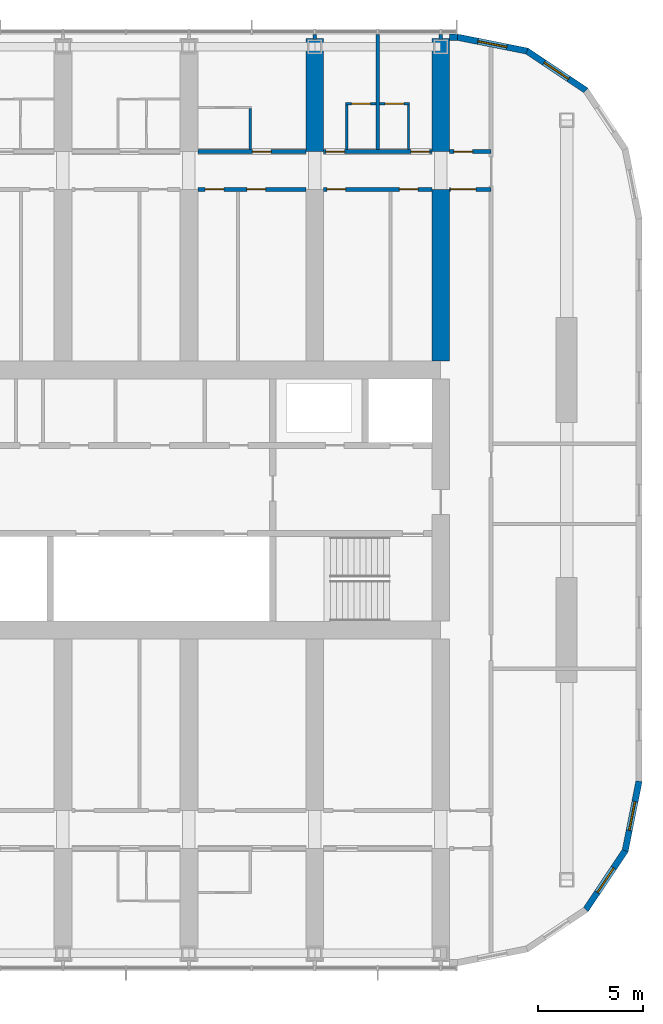
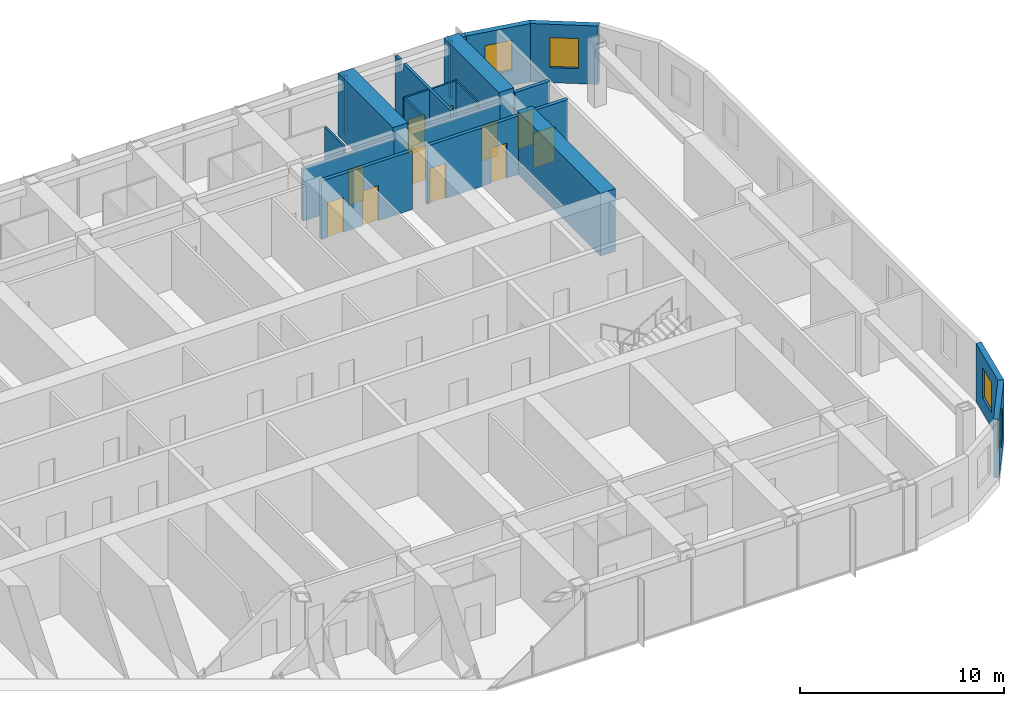
# One storey, part 21 of 29: 22 walls, 11 doors, 4 windows, 15 openings.
"""IFC4 building model written with IfcOpenShell, lengths in metres."""

from ifc_helpers import new_model, si_unit, direction, frame, frame_2d, origin, place, context, subcontext, project, spatial, polyline, rectangle, outline, extrude, material, layer, layer_set, type_object, element, fill, save


model = new_model("IFC4")

# Units and contexts
model_context = context("Model", 3, precision=1e-05, world=origin(), true_north=direction((0.0, 1.0)))
body_context = subcontext(model_context, "Body", "Model", "MODEL_VIEW")
ifc_project = project(units=[si_unit("LENGTHUNIT", "METRE"), si_unit("AREAUNIT", "SQUARE_METRE"), si_unit("VOLUMEUNIT", "CUBIC_METRE"), si_unit("PLANEANGLEUNIT", "RADIAN"), si_unit("MASSUNIT", "GRAM", prefix="KILO")], contexts=[model_context])

# Site, building, storey
site_placement = place(None, origin())
site = spatial("IfcSite", under=ifc_project, at=site_placement, CompositionType="ELEMENT")
building_placement = place(site_placement, origin())
building = spatial("IfcBuilding", under=site, at=building_placement, Name="Orbita Commons", CompositionType="ELEMENT")
storey_placement = place(building_placement, frame((0.0, 0.0, 163.60009765625)))
storey = spatial("IfcBuildingStorey", under=building, at=storey_placement, Name="L40", CompositionType="ELEMENT", Elevation=163.60009765625)

# Wall, opening, door
ifc_material_1 = material(Name="Concrete blockwork", Category="masonry")
ifc_layer_1 = layer(ifc_material_1, 0.199951171875)
ifc_layer_set_1 = layer_set([ifc_layer_1], Name="Concrete blockwork")
wall_type_1 = type_object("IfcWallType", Name="Corridor wall 200 blockwork", PredefinedType="SOLIDWALL", material=ifc_layer_set_1)
wall_1_placement = place(storey_placement, frame((54.425048828125, 48.60009765625, 0.0), z_axis=(0.0, 0.0, 1.0), x_axis=(1.0, 0.0, 0.0)))
wall_1 = element("IfcWall", 1, at=wall_1_placement, inside=storey, type_object=wall_type_1, Name="Corridor wall 200 blockwork L40", PredefinedType="SOLIDWALL", context=body_context, shape_type="SweptSolid", body=[
    extrude(outline(polyline([(0.0, 0.0), (5.14990234375, 0.0), (5.14990234375, 3.099853515625), (0.0, 3.099853515625), (0.0, 0.0)])), frame((0.0, 0.10009765625, 0.0), z_axis=(0.0, -1.0, 0.0), x_axis=(1.0, 0.0, 0.0)), (0.0, 0.0, 1.0), 0.199951171875),
])
opening_1_placement = place(wall_1_placement, frame((2.60009765625, 0.0, 0.0)))
opening_1 = element("IfcOpeningElement", 2, at=opening_1_placement, cuts=wall_1, Name="Opening D11", PredefinedType="OPENING", context=body_context, shape_type="SweptSolid", body=[
    extrude(rectangle(XDim=0.89990234375, YDim=2.10009765625, at=frame_2d((0.449951171875, 1.050048828125))), frame((0.0, 0.10986328125, 0.0), z_axis=(0.0, -1.0, 0.0), x_axis=(1.0, 0.0, 0.0)), (0.0, 0.0, 1.0), 0.219970703125),
])
ifc_material_2 = material(Name="Steel-faced fire door leaf", Category="steel")
door_type_1 = type_object("IfcDoorType", Name="Corridor door 20 min 900x2100", OperationType="SINGLE_SWING_LEFT", PredefinedType="DOOR", material=ifc_material_2)
door_1_placement = place(opening_1_placement, origin())
door_1 = element("IfcDoor", 3, at=door_1_placement, inside=storey, type_object=door_type_1, Name="Twin room L40-N12 door", OperationType="SINGLE_SWING_LEFT", OverallHeight=2.10009765625, OverallWidth=0.89990234375, PredefinedType="DOOR", context=body_context, shape_type="SweptSolid", body=[
    extrude(rectangle(XDim=0.89990234375, YDim=2.10009765625, at=frame_2d((0.449951171875, 1.050048828125))), frame((0.0, 0.02490234375, 0.0), z_axis=(0.0, -1.0, 0.0), x_axis=(1.0, 0.0, 0.0)), (0.0, 0.0, 1.0), 0.050048828125),
])
fill(opening_1, door_1)

# Wall, openings, doors
wall_2_placement = place(storey_placement, frame((60.425048828125, 48.60009765625, 0.0), z_axis=(0.0, 0.0, 1.0), x_axis=(1.0, 0.0, 0.0)))
wall_2 = element("IfcWall", 4, at=wall_2_placement, inside=storey, type_object=wall_type_1, Name="Corridor wall 200 blockwork L40", PredefinedType="SOLIDWALL", context=body_context, shape_type="SweptSolid", body=[
    extrude(outline(polyline([(0.0, 0.0), (5.14990234375, 0.0), (5.14990234375, 3.099853515625), (0.0, 3.099853515625), (0.0, 0.0)])), frame((0.0, 0.10009765625, 0.0), z_axis=(0.0, -1.0, 0.0), x_axis=(1.0, 0.0, 0.0)), (0.0, 0.0, 1.0), 0.199951171875),
])
opening_2_placement = place(wall_2_placement, frame((0.10009765625, 0.0, 0.0)))
opening_2 = element("IfcOpeningElement", 5, at=opening_2_placement, cuts=wall_2, Name="Opening D11", PredefinedType="OPENING", context=body_context, shape_type="SweptSolid", body=[
    extrude(rectangle(XDim=0.89990234375, YDim=2.10009765625, at=frame_2d((0.449951171875, 1.050048828125))), frame((0.0, 0.10986328125, 0.0), z_axis=(0.0, -1.0, 0.0), x_axis=(1.0, 0.0, 0.0)), (0.0, 0.0, 1.0), 0.219970703125),
])
opening_3_placement = place(wall_2_placement, frame((4.14990234375, 0.0, 0.0)))
opening_3 = element("IfcOpeningElement", 6, at=opening_3_placement, cuts=wall_2, Name="Opening D11", PredefinedType="OPENING", context=body_context, shape_type="SweptSolid", body=[
    extrude(rectangle(XDim=0.89990234375, YDim=2.10009765625, at=frame_2d((0.449951171875, 1.050048828125))), frame((0.0, 0.10986328125, 0.0), z_axis=(0.0, -1.0, 0.0), x_axis=(1.0, 0.0, 0.0)), (0.0, 0.0, 1.0), 0.219970703125),
])
door_2_placement = place(opening_2_placement, origin())
door_2 = element("IfcDoor", 7, at=door_2_placement, inside=storey, type_object=door_type_1, Name="Cluster bedroom L40-N14 door", OperationType="SINGLE_SWING_LEFT", OverallHeight=2.10009765625, OverallWidth=0.89990234375, PredefinedType="DOOR", context=body_context, shape_type="SweptSolid", body=[
    extrude(rectangle(XDim=0.89990234375, YDim=2.10009765625, at=frame_2d((0.449951171875, 1.050048828125))), frame((0.0, 0.02490234375, 0.0), z_axis=(0.0, -1.0, 0.0), x_axis=(1.0, 0.0, 0.0)), (0.0, 0.0, 1.0), 0.050048828125),
])
fill(opening_2, door_2)
door_3_placement = place(opening_3_placement, origin())
door_3 = element("IfcDoor", 8, at=door_3_placement, inside=storey, type_object=door_type_1, Name="Cluster bedroom L40-N15 door", OperationType="SINGLE_SWING_LEFT", OverallHeight=2.10009765625, OverallWidth=0.89990234375, PredefinedType="DOOR", context=body_context, shape_type="SweptSolid", body=[
    extrude(rectangle(XDim=0.89990234375, YDim=2.10009765625, at=frame_2d((0.449951171875, 1.050048828125))), frame((0.0, 0.02490234375, 0.0), z_axis=(0.0, -1.0, 0.0), x_axis=(1.0, 0.0, 0.0)), (0.0, 0.0, 1.0), 0.050048828125),
])
fill(opening_3, door_3)

# Wall, opening, door
wall_3_placement = place(storey_placement, frame((66.425048828125, 48.60009765625, 0.0), z_axis=(0.0, 0.0, 1.0), x_axis=(1.0, 0.0, 0.0)))
wall_3 = element("IfcWall", 9, at=wall_3_placement, inside=storey, type_object=wall_type_1, Name="Corridor wall 200 blockwork L40", PredefinedType="SOLIDWALL", context=body_context, shape_type="SweptSolid", body=[
    extrude(rectangle(XDim=1.974853515625, YDim=0.199951171875, at=frame_2d((0.9873046875, 0.0))), origin(), (0.0, 0.0, 1.0), 3.5),
])
opening_4_placement = place(wall_3_placement, frame((0.199951171875, 0.0, 0.0)))
opening_4 = element("IfcOpeningElement", 10, at=opening_4_placement, cuts=wall_3, Name="Opening D05", PredefinedType="OPENING", context=body_context, shape_type="SweptSolid", body=[
    extrude(rectangle(XDim=0.89990234375, YDim=2.10009765625, at=frame_2d((0.449951171875, 1.050048828125))), frame((0.0, 0.10986328125, 0.0), z_axis=(0.0, -1.0, 0.0), x_axis=(1.0, 0.0, 0.0)), (0.0, 0.0, 1.0), 0.219970703125),
])
ifc_material_3 = material(Name="Steel-faced fire door leaf", Category="steel")
door_type_2 = type_object("IfcDoorType", Name="Service door 20 min 900x2100", OperationType="SINGLE_SWING_LEFT", PredefinedType="DOOR", material=ifc_material_3)
door_4_placement = place(opening_4_placement, origin())
door_4 = element("IfcDoor", 11, at=door_4_placement, inside=storey, type_object=door_type_2, Name="Linen store L40-KEN door", OperationType="SINGLE_SWING_LEFT", OverallHeight=2.10009765625, OverallWidth=0.89990234375, PredefinedType="DOOR", context=body_context, shape_type="SweptSolid", body=[
    extrude(rectangle(XDim=0.89990234375, YDim=2.10009765625, at=frame_2d((0.449951171875, 1.050048828125))), frame((0.0, 0.02490234375, 0.0), z_axis=(0.0, -1.0, 0.0), x_axis=(1.0, 0.0, 0.0)), (0.0, 0.0, 1.0), 0.050048828125),
])
fill(opening_4, door_4)

# Wall, openings, doors
ifc_material_4 = material(Name="Hollow concrete block 200", Category="concrete")
ifc_layer_2 = layer(ifc_material_4, 0.199951171875)
ifc_layer_set_2 = layer_set([ifc_layer_2], Name="Hollow concrete block 200")
wall_type_2 = type_object("IfcWallType", Name="Corridor wall 200 hollow concrete block", PredefinedType="SOLIDWALL", material=ifc_layer_set_2)
wall_4_placement = place(storey_placement, frame((54.425048828125, 46.800048828125, 0.0), z_axis=(0.0, 0.0, 1.0), x_axis=(1.0, 0.0, 0.0)))
wall_4 = element("IfcWall", 12, at=wall_4_placement, inside=storey, type_object=wall_type_2, Name="Corridor wall 200 hollow concrete block L40", PredefinedType="SOLIDWALL", context=body_context, shape_type="SweptSolid", body=[
    extrude(rectangle(XDim=5.14990234375, YDim=0.199951171875, at=frame_2d((2.574951171875, 0.0))), origin(), (0.0, 0.0, 1.0), 3.5),
])
opening_5_placement = place(wall_4_placement, frame((0.35009765625, 0.0, 0.0)))
opening_5 = element("IfcOpeningElement", 13, at=opening_5_placement, cuts=wall_4, Name="Opening D11", PredefinedType="OPENING", context=body_context, shape_type="SweptSolid", body=[
    extrude(rectangle(XDim=0.89990234375, YDim=2.10009765625, at=frame_2d((0.449951171875, 1.050048828125))), frame((0.0, 0.10986328125, 0.0), z_axis=(0.0, -1.0, 0.0), x_axis=(1.0, 0.0, 0.0)), (0.0, 0.0, 1.0), 0.219970703125),
])
opening_6_placement = place(wall_4_placement, frame((2.3349609375, 0.0, 0.0)))
opening_6 = element("IfcOpeningElement", 14, at=opening_6_placement, cuts=wall_4, Name="Opening D11", PredefinedType="OPENING", context=body_context, shape_type="SweptSolid", body=[
    extrude(rectangle(XDim=0.89990234375, YDim=2.10009765625, at=frame_2d((0.449951171875, 1.050048828125))), frame((0.0, 0.10986328125, 0.0), z_axis=(0.0, -1.0, 0.0), x_axis=(1.0, 0.0, 0.0)), (0.0, 0.0, 1.0), 0.219970703125),
])
door_5_placement = place(opening_5_placement, origin())
door_5 = element("IfcDoor", 15, at=door_5_placement, inside=storey, type_object=door_type_1, Name="Battery and UPS room L40-BDN54n door", OperationType="SINGLE_SWING_LEFT", OverallHeight=2.10009765625, OverallWidth=0.89990234375, PredefinedType="DOOR", context=body_context, shape_type="SweptSolid", body=[
    extrude(rectangle(XDim=0.89990234375, YDim=2.10009765625, at=frame_2d((0.449951171875, 1.050048828125))), frame((0.0, 0.02490234375, 0.0), z_axis=(0.0, -1.0, 0.0), x_axis=(1.0, 0.0, 0.0)), (0.0, 0.0, 1.0), 0.050048828125),
])
fill(opening_5, door_5)
door_6_placement = place(opening_6_placement, origin())
door_6 = element("IfcDoor", 16, at=door_6_placement, inside=storey, type_object=door_type_1, Name="Linen store L40-BDN54 door", OperationType="SINGLE_SWING_LEFT", OverallHeight=2.10009765625, OverallWidth=0.89990234375, PredefinedType="DOOR", context=body_context, shape_type="SweptSolid", body=[
    extrude(rectangle(XDim=0.89990234375, YDim=2.10009765625, at=frame_2d((0.449951171875, 1.050048828125))), frame((0.0, 0.02490234375, 0.0), z_axis=(0.0, -1.0, 0.0), x_axis=(1.0, 0.0, 0.0)), (0.0, 0.0, 1.0), 0.050048828125),
])
fill(opening_6, door_6)

wall_5_placement = place(storey_placement, frame((60.425048828125, 46.800048828125, 0.0), z_axis=(0.0, 0.0, 1.0), x_axis=(1.0, 0.0, 0.0)))
wall_5 = element("IfcWall", 17, at=wall_5_placement, inside=storey, type_object=wall_type_2, Name="Corridor wall 200 hollow concrete block L40", PredefinedType="SOLIDWALL", context=body_context, shape_type="SweptSolid", body=[
    extrude(rectangle(XDim=5.14990234375, YDim=0.199951171875, at=frame_2d((2.574951171875, 0.0))), origin(), (0.0, 0.0, 1.0), 3.5),
])
opening_7_placement = place(wall_5_placement, frame((0.14990234375, 0.0, 0.0)))
opening_7 = element("IfcOpeningElement", 18, at=opening_7_placement, cuts=wall_5, Name="Opening D11", PredefinedType="OPENING", context=body_context, shape_type="SweptSolid", body=[
    extrude(rectangle(XDim=0.89990234375, YDim=2.10009765625, at=frame_2d((0.449951171875, 1.050048828125))), frame((0.0, 0.10986328125, 0.0), z_axis=(0.0, -1.0, 0.0), x_axis=(1.0, 0.0, 0.0)), (0.0, 0.0, 1.0), 0.219970703125),
])
opening_8_placement = place(wall_5_placement, frame((3.60498046875, 0.0, 0.0)))
opening_8 = element("IfcOpeningElement", 19, at=opening_8_placement, cuts=wall_5, Name="Opening D11", PredefinedType="OPENING", context=body_context, shape_type="SweptSolid", body=[
    extrude(rectangle(XDim=0.89990234375, YDim=2.10009765625, at=frame_2d((0.449951171875, 1.050048828125))), frame((0.0, 0.10986328125, 0.0), z_axis=(0.0, -1.0, 0.0), x_axis=(1.0, 0.0, 0.0)), (0.0, 0.0, 1.0), 0.219970703125),
])
door_7_placement = place(opening_7_placement, origin())
door_7 = element("IfcDoor", 20, at=door_7_placement, inside=storey, type_object=door_type_1, Name="Pantry L40-BDN60 door", OperationType="SINGLE_SWING_LEFT", OverallHeight=2.10009765625, OverallWidth=0.89990234375, PredefinedType="DOOR", context=body_context, shape_type="SweptSolid", body=[
    extrude(rectangle(XDim=0.89990234375, YDim=2.10009765625, at=frame_2d((0.449951171875, 1.050048828125))), frame((0.0, 0.02490234375, 0.0), z_axis=(0.0, -1.0, 0.0), x_axis=(1.0, 0.0, 0.0)), (0.0, 0.0, 1.0), 0.050048828125),
])
fill(opening_7, door_7)
door_8_placement = place(opening_8_placement, origin())
door_8 = element("IfcDoor", 21, at=door_8_placement, inside=storey, type_object=door_type_1, Name="Sprinkler valve room L40-BDN60n door", OperationType="SINGLE_SWING_LEFT", OverallHeight=2.10009765625, OverallWidth=0.89990234375, PredefinedType="DOOR", context=body_context, shape_type="SweptSolid", body=[
    extrude(rectangle(XDim=0.89990234375, YDim=2.10009765625, at=frame_2d((0.449951171875, 1.050048828125))), frame((0.0, 0.02490234375, 0.0), z_axis=(0.0, -1.0, 0.0), x_axis=(1.0, 0.0, 0.0)), (0.0, 0.0, 1.0), 0.050048828125),
])
fill(opening_8, door_8)

# Wall, opening, door
wall_6_placement = place(storey_placement, frame((66.425048828125, 46.800048828125, 0.0), z_axis=(0.0, 0.0, 1.0), x_axis=(1.0, 0.0, 0.0)))
wall_6 = element("IfcWall", 22, at=wall_6_placement, inside=storey, type_object=wall_type_2, Name="Corridor wall 200 hollow concrete block L40", PredefinedType="SOLIDWALL", context=body_context, shape_type="SweptSolid", body=[
    extrude(rectangle(XDim=1.974853515625, YDim=0.199951171875, at=frame_2d((0.9873046875, 0.0))), origin(), (0.0, 0.0, 1.0), 3.5),
])
opening_9_placement = place(wall_6_placement, frame((0.050048828125, 0.0, 0.0)))
opening_9 = element("IfcOpeningElement", 23, at=opening_9_placement, cuts=wall_6, Name="Opening D12", PredefinedType="OPENING", context=body_context, shape_type="SweptSolid", body=[
    extrude(rectangle(XDim=1.199951171875, YDim=2.10009765625, at=frame_2d((0.60009765625, 1.050048828125))), frame((0.0, 0.10986328125, 0.0), z_axis=(0.0, -1.0, 0.0), x_axis=(1.0, 0.0, 0.0)), (0.0, 0.0, 1.0), 0.219970703125),
])
ifc_material_5 = material(Name="Steel-faced fire door leaf", Category="steel")
door_type_3 = type_object("IfcDoorType", Name="Double corridor door 20 min 1200x2100", OperationType="DOUBLE_DOOR_SINGLE_SWING", PredefinedType="DOOR", material=ifc_material_5)
door_9_placement = place(opening_9_placement, origin())
door_9 = element("IfcDoor", 24, at=door_9_placement, inside=storey, type_object=door_type_3, Name="Cross corridor doors", OperationType="DOUBLE_DOOR_SINGLE_SWING", OverallHeight=2.10009765625, OverallWidth=1.199951171875, PredefinedType="DOOR", context=body_context, shape_type="SweptSolid", body=[
    extrude(rectangle(XDim=1.199951171875, YDim=2.10009765625, at=frame_2d((0.60009765625, 1.050048828125))), frame((0.0, 0.02490234375, 0.0), z_axis=(0.0, -1.0, 0.0), x_axis=(1.0, 0.0, 0.0)), (0.0, 0.0, 1.0), 0.050048828125),
])
fill(opening_9, door_9)

# Walls
ifc_material_6 = material(Name="Concrete C50/60", Category="concrete")
ifc_layer_3 = layer(ifc_material_6, 0.85009765625)
ifc_layer_set_3 = layer_set([ifc_layer_3], Name="Concrete C50/60")
wall_type_3 = type_object("IfcWallType", Name="Cross wall 850 C50/60", PredefinedType="SHEAR", material=ifc_layer_set_3)
for number, where, z_axis, x_axis, name in (
    (25, (60.0, 48.60009765625, 0.0), (0.0, 0.0, 1.0), (0.0, 1.0, 0.0), "Cross wall 11 north outer L40"),
    (26, (66.0, 48.60009765625, 0.0), (0.0, 0.0, 1.0), (0.0, 1.0, 0.0), "Cross wall 12 north outer L40"),
):
    element("IfcWall", number, at=place(storey_placement, frame(where, z_axis=z_axis, x_axis=x_axis)), inside=storey, type_object=wall_type_3, Name=name, PredefinedType="SHEAR", context=body_context, shape_type="SweptSolid", body=[
        extrude(rectangle(XDim=5.39990234375, YDim=0.85009765625, at=frame_2d((2.699951171875, 0.0))), origin(), (0.0, 0.0, 1.0), 3.75),
    ])
wall_7_placement = place(storey_placement, frame((66.0, 38.625, 0.0), z_axis=(0.0, 0.0, 1.0), x_axis=(0.0, 1.0, 0.0)))
element("IfcWall", 27, at=wall_7_placement, inside=storey, type_object=wall_type_3, Name="Cross wall 12 north inner L40", PredefinedType="SHEAR", context=body_context, shape_type="SweptSolid", body=[
    extrude(rectangle(XDim=8.175048828125, YDim=0.85009765625, at=frame_2d((4.08740234375, 0.0))), origin(), (0.0, 0.0, 1.0), 3.75),
])
ifc_material_7 = material(Name="Moisture-resistant plasterboard on steel studs", Category="steel")
ifc_layer_4 = layer(ifc_material_7, 0.10009765625)
ifc_layer_set_4 = layer_set([ifc_layer_4], Name="Moisture-resistant plasterboard on steel studs")
wall_type_4 = type_object("IfcWallType", Name="En-suite partition 100", PredefinedType="PARTITIONING", material=ifc_layer_set_4)
wall_8_placement = place(storey_placement, frame((56.925048828125, 50.64990234375, 0.0), z_axis=(0.0, 0.0, 1.0), x_axis=(0.0, -1.0, 0.0)))
element("IfcWall", 28, at=wall_8_placement, inside=storey, type_object=wall_type_4, Name="En-suite partition 100 L40", PredefinedType="PARTITIONING", context=body_context, shape_type="SweptSolid", body=[
    extrude(outline(polyline([(0.0, 0.0), (1.949951171875, 0.0), (1.949951171875, 3.099853515625), (1.902099609375, 3.099853515625), (1.89990234375, 3.5), (0.0, 3.5), (0.0, 0.0)])), frame((0.0, 0.050048828125, 0.0), z_axis=(0.0, -1.0, 0.0), x_axis=(1.0, 0.0, 0.0)), (0.0, 0.0, 1.0), 0.10009765625),
])

# Wall, opening, door
wall_9_placement = place(storey_placement, frame((61.47509765625, 50.878662109375, 0.0), z_axis=(0.0, 0.0, 1.0), x_axis=(1.0, 0.0, 0.0)))
wall_9 = element("IfcWall", 29, at=wall_9_placement, inside=storey, type_object=wall_type_4, Name="En-suite partition 100 L40", PredefinedType="PARTITIONING", context=body_context, shape_type="SweptSolid", body=[
    extrude(rectangle(XDim=1.449951171875, YDim=0.10009765625, at=frame_2d((0.72509765625, 0.0))), origin(), (0.0, 0.0, 1.0), 3.5),
])
opening_10_placement = place(wall_9_placement, frame((0.27490234375, 0.0, 0.0)))
opening_10 = element("IfcOpeningElement", 30, at=opening_10_placement, cuts=wall_9, Name="Opening D09", PredefinedType="OPENING", context=body_context, shape_type="SweptSolid", body=[
    extrude(rectangle(XDim=0.89990234375, YDim=2.10009765625, at=frame_2d((0.449951171875, 1.050048828125))), frame((0.0, 0.06005859375, 0.0), z_axis=(0.0, -1.0, 0.0), x_axis=(1.0, 0.0, 0.0)), (0.0, 0.0, 1.0), 0.1201171875),
])
ifc_material_8 = material(Name="Laminated timber door leaf", Category="wood")
door_type_4 = type_object("IfcDoorType", Name="En-suite door 900x2100", OperationType="SINGLE_SWING_RIGHT", PredefinedType="DOOR", material=ifc_material_8)
door_10_placement = place(opening_10_placement, origin())
door_10 = element("IfcDoor", 31, at=door_10_placement, inside=storey, type_object=door_type_4, Name="En-suite L40-N14 door", OperationType="SINGLE_SWING_RIGHT", OverallHeight=2.10009765625, OverallWidth=0.89990234375, PredefinedType="DOOR", context=body_context, shape_type="SweptSolid", body=[
    extrude(rectangle(XDim=0.89990234375, YDim=2.10009765625, at=frame_2d((0.449951171875, 1.050048828125))), frame((0.0, 0.02490234375, 0.0), z_axis=(0.0, -1.0, 0.0), x_axis=(1.0, 0.0, 0.0)), (0.0, 0.0, 1.0), 0.050048828125),
])
fill(opening_10, door_10)

# Wall
wall_10_placement = place(storey_placement, frame((61.52490234375, 50.82861328125, 0.0), z_axis=(0.0, 0.0, 1.0), x_axis=(0.0, -1.0, 0.0)))
element("IfcWall", 32, at=wall_10_placement, inside=storey, type_object=wall_type_4, Name="En-suite partition 100 L40", PredefinedType="PARTITIONING", context=body_context, shape_type="SweptSolid", body=[
    extrude(outline(polyline([(0.0, 0.0), (2.128662109375, 0.0), (2.128662109375, 3.099853515625), (2.08056640625, 3.099853515625), (2.07861328125, 3.5), (0.0, 3.5), (0.0, 0.0)])), frame((0.0, 0.050048828125, 0.0), z_axis=(0.0, -1.0, 0.0), x_axis=(1.0, 0.0, 0.0)), (0.0, 0.0, 1.0), 0.10009765625),
])

# Wall, opening, door
wall_11_placement = place(storey_placement, frame((63.074951171875, 50.878662109375, 0.0), z_axis=(0.0, 0.0, 1.0), x_axis=(1.0, 0.0, 0.0)))
wall_11 = element("IfcWall", 33, at=wall_11_placement, inside=storey, type_object=wall_type_4, Name="En-suite partition 100 L40", PredefinedType="PARTITIONING", context=body_context, shape_type="SweptSolid", body=[
    extrude(rectangle(XDim=1.449951171875, YDim=0.10009765625, at=frame_2d((0.72509765625, 0.0))), origin(), (0.0, 0.0, 1.0), 3.5),
])
opening_11_placement = place(wall_11_placement, frame((0.27490234375, 0.0, 0.0)))
opening_11 = element("IfcOpeningElement", 34, at=opening_11_placement, cuts=wall_11, Name="Opening D09", PredefinedType="OPENING", context=body_context, shape_type="SweptSolid", body=[
    extrude(rectangle(XDim=0.89990234375, YDim=2.10009765625, at=frame_2d((0.449951171875, 1.050048828125))), frame((0.0, 0.06005859375, 0.0), z_axis=(0.0, -1.0, 0.0), x_axis=(1.0, 0.0, 0.0)), (0.0, 0.0, 1.0), 0.1201171875),
])
door_11_placement = place(opening_11_placement, origin())
door_11 = element("IfcDoor", 35, at=door_11_placement, inside=storey, type_object=door_type_4, Name="En-suite L40-N15 door", OperationType="SINGLE_SWING_RIGHT", OverallHeight=2.10009765625, OverallWidth=0.89990234375, PredefinedType="DOOR", context=body_context, shape_type="SweptSolid", body=[
    extrude(rectangle(XDim=0.89990234375, YDim=2.10009765625, at=frame_2d((0.449951171875, 1.050048828125))), frame((0.0, 0.02490234375, 0.0), z_axis=(0.0, -1.0, 0.0), x_axis=(1.0, 0.0, 0.0)), (0.0, 0.0, 1.0), 0.050048828125),
])
fill(opening_11, door_11)

# Walls
wall_12_placement = place(storey_placement, frame((64.47509765625, 50.82861328125, 0.0), z_axis=(0.0, 0.0, 1.0), x_axis=(0.0, -1.0, 0.0)))
element("IfcWall", 36, at=wall_12_placement, inside=storey, type_object=wall_type_4, Name="En-suite partition 100 L40", PredefinedType="PARTITIONING", context=body_context, shape_type="SweptSolid", body=[
    extrude(outline(polyline([(0.0, 0.0), (2.128662109375, 0.0), (2.128662109375, 3.099853515625), (2.08056640625, 3.099853515625), (2.07861328125, 3.5), (0.0, 3.5), (0.0, 0.0)])), frame((0.0, 0.050048828125, 0.0), z_axis=(0.0, -1.0, 0.0), x_axis=(1.0, 0.0, 0.0)), (0.0, 0.0, 1.0), 0.10009765625),
])
ifc_material_9 = material(Name="Gypsum plasterboard on steel studs", Category="steel")
ifc_layer_5 = layer(ifc_material_9, 0.14990234375)
ifc_layer_set_5 = layer_set([ifc_layer_5], Name="Gypsum plasterboard on steel studs")
wall_type_5 = type_object("IfcWallType", Name="Partition 150 plasterboard", PredefinedType="PARTITIONING", material=ifc_layer_set_5)
for number, where, z_axis, x_axis, name in (
    (37, (60.0, 53.949951171875, 0.0), (0.0, 0.0, 1.0), (0.0, 1.0, 0.0), "Partition 150 plasterboard L40"),
    (38, (66.0, 53.949951171875, 0.0), (0.0, 0.0, 1.0), (0.0, 1.0, 0.0), "Partition 150 plasterboard L40"),
):
    element("IfcWall", number, at=place(storey_placement, frame(where, z_axis=z_axis, x_axis=x_axis)), inside=storey, type_object=wall_type_5, Name=name, PredefinedType="PARTITIONING", context=body_context, shape_type="SweptSolid", body=[
        extrude(rectangle(XDim=0.239990234375, YDim=0.14990234375, at=frame_2d((0.1201171875, 0.0))), origin(), (0.0, 0.0, 1.0), 3.5),
    ])
ifc_material_10 = material(Name="Gypsum plasterboard on steel studs", Category="steel")
ifc_layer_6 = layer(ifc_material_10, 0.14990234375)
ifc_layer_set_6 = layer_set([ifc_layer_6], Name="Gypsum plasterboard on steel studs")
wall_type_6 = type_object("IfcWallType", Name="Party wall 150 plasterboard", PredefinedType="PARTITIONING", material=ifc_layer_set_6)
wall_13_placement = place(storey_placement, frame((63.0, 54.18994140625, 0.0), z_axis=(0.0, 0.0, 1.0), x_axis=(0.0, -1.0, 0.0)))
element("IfcWall", 39, at=wall_13_placement, inside=storey, type_object=wall_type_6, Name="Party wall 150 plasterboard L40", PredefinedType="PARTITIONING", context=body_context, shape_type="SweptSolid", body=[
    extrude(outline(polyline([(0.0, 0.0), (5.489990234375, 0.0), (5.489990234375, 3.099853515625), (5.44189453125, 3.099853515625), (5.43994140625, 3.5), (0.7919921875, 3.5), (0.7900390625, 3.099853515625), (0.39208984375, 3.099853515625), (0.389892578125, 3.5), (0.0, 3.5), (0.0, 0.0)])), frame((0.0, 0.074951171875, 0.0), z_axis=(0.0, -1.0, 0.0), x_axis=(1.0, 0.0, 0.0)), (0.0, 0.0, 1.0), 0.14990234375),
])

# Wall, opening, window
ifc_material_11 = material(Name="Precast concrete C40/50, white board-marked finish", Category="concrete")
ifc_layer_7 = layer(ifc_material_11, 0.300048828125)
ifc_layer_set_7 = layer_set([ifc_layer_7], Name="Precast concrete C40/50, white board-marked finish")
wall_type_7 = type_object("IfcWallType", Name="Precast concrete end shield 300", PredefinedType="SOLIDWALL", material=ifc_layer_set_7)
wall_14_placement = place(storey_placement, frame((72.91650390625, 12.4833984375, 0.0), z_axis=(0.0, 0.0, 1.0), x_axis=(0.555534554399, 0.831493450887, 0.0)))
wall_14 = element("IfcWall", 40, at=wall_14_placement, inside=storey, type_object=wall_type_7, Name="End shield SE chord 3 L40", PredefinedType="SOLIDWALL", context=body_context, shape_type="SweptSolid", body=[
    extrude(outline(polyline([(-0.02978515625, -0.14990234375), (3.405029296875, -0.14990234375), (3.345458984375, 0.14990234375), (0.02978515625, 0.14990234375), (-0.02978515625, -0.14990234375)])), origin(), (0.0, 0.0, 1.0), 3.5),
])
opening_12_placement = place(wall_14_placement, frame((0.987548828125, 0.0, 0.89990234375)))
opening_12 = element("IfcOpeningElement", 41, at=opening_12_placement, cuts=wall_14, Name="Opening W02", PredefinedType="OPENING", context=body_context, shape_type="SweptSolid", body=[
    extrude(rectangle(XDim=1.39990234375, YDim=1.800048828125, at=frame_2d((0.699951171875, 0.89990234375))), frame((0.0, 0.159912109375, 0.0), z_axis=(0.0, -1.0, 0.0), x_axis=(1.0, 0.0, 0.0)), (0.0, 0.0, 1.0), 0.320068359375),
])
ifc_material_12 = material(Name="Aluminium frame, clear double glazing", Category="aluminium")
window_type = type_object("IfcWindowType", Name="Deep-set window 1400x1800", PartitioningType="SINGLE_PANEL", PredefinedType="WINDOW", material=ifc_material_12)
window_1_placement = place(opening_12_placement, origin())
window_1 = element("IfcWindow", 42, at=window_1_placement, inside=storey, type_object=window_type, Name="Window L40-SE2", OverallHeight=1.800048828125, OverallWidth=1.39990234375, PartitioningType="SINGLE_PANEL", PredefinedType="WINDOW", context=body_context, shape_type="SweptSolid", body=[
    extrude(rectangle(XDim=1.39990234375, YDim=1.800048828125, at=frame_2d((0.699951171875, 0.89990234375))), frame((0.0, 0.030029296875, 0.0), z_axis=(0.0, -1.0, 0.0), x_axis=(1.0, 0.0, 0.0)), (0.0, 0.0, 1.0), 0.06005859375),
])
fill(opening_12, window_1)

wall_15_placement = place(storey_placement, frame((74.79150390625, 15.289794921875, 0.0), z_axis=(0.0, 0.0, 1.0), x_axis=(0.19508664885, 0.980786011034, 0.0)))
wall_15 = element("IfcWall", 43, at=wall_15_placement, inside=storey, type_object=wall_type_7, Name="End shield SE chord 4 L40", PredefinedType="SOLIDWALL", context=body_context, shape_type="SweptSolid", body=[
    extrude(outline(polyline([(-0.02978515625, -0.14990234375), (3.39013671875, -0.14990234375), (3.3603515625, 0.14990234375), (0.02978515625, 0.14990234375), (-0.02978515625, -0.14990234375)])), origin(), (0.0, 0.0, 1.0), 3.5),
])
opening_13_placement = place(wall_15_placement, frame((0.987548828125, 0.0, 0.89990234375)))
opening_13 = element("IfcOpeningElement", 44, at=opening_13_placement, cuts=wall_15, Name="Opening W02", PredefinedType="OPENING", context=body_context, shape_type="SweptSolid", body=[
    extrude(rectangle(XDim=1.39990234375, YDim=1.800048828125, at=frame_2d((0.699951171875, 0.89990234375))), frame((0.0, 0.159912109375, 0.0), z_axis=(0.0, -1.0, 0.0), x_axis=(1.0, 0.0, 0.0)), (0.0, 0.0, 1.0), 0.320068359375),
])
window_2_placement = place(opening_13_placement, origin())
window_2 = element("IfcWindow", 45, at=window_2_placement, inside=storey, type_object=window_type, Name="Window L40-SE3", OverallHeight=1.800048828125, OverallWidth=1.39990234375, PartitioningType="SINGLE_PANEL", PredefinedType="WINDOW", context=body_context, shape_type="SweptSolid", body=[
    extrude(rectangle(XDim=1.39990234375, YDim=1.800048828125, at=frame_2d((0.699951171875, 0.89990234375))), frame((0.0, 0.030029296875, 0.0), z_axis=(0.0, -1.0, 0.0), x_axis=(1.0, 0.0, 0.0)), (0.0, 0.0, 1.0), 0.06005859375),
])
fill(opening_13, window_2)

wall_16_placement = place(storey_placement, frame((72.91650390625, 51.5166015625, 0.0), z_axis=(0.0, 0.0, 1.0), x_axis=(-0.831493450887, 0.555534554399, 0.0)))
wall_16 = element("IfcWall", 46, at=wall_16_placement, inside=storey, type_object=wall_type_7, Name="End shield NE chord 3 L40", PredefinedType="SOLIDWALL", context=body_context, shape_type="SweptSolid", body=[
    extrude(outline(polyline([(-0.02978515625, -0.14990234375), (3.405029296875, -0.14990234375), (3.345458984375, 0.14990234375), (0.02978515625, 0.14990234375), (-0.02978515625, -0.14990234375)])), origin(), (0.0, 0.0, 1.0), 3.5),
])
opening_14_placement = place(wall_16_placement, frame((0.987548828125, 0.0, 0.89990234375)))
opening_14 = element("IfcOpeningElement", 47, at=opening_14_placement, cuts=wall_16, Name="Opening W02", PredefinedType="OPENING", context=body_context, shape_type="SweptSolid", body=[
    extrude(rectangle(XDim=1.39990234375, YDim=1.800048828125, at=frame_2d((0.699951171875, 0.89990234375))), frame((0.0, 0.159912109375, 0.0), z_axis=(0.0, -1.0, 0.0), x_axis=(1.0, 0.0, 0.0)), (0.0, 0.0, 1.0), 0.320068359375),
])
window_3_placement = place(opening_14_placement, origin())
window_3 = element("IfcWindow", 48, at=window_3_placement, inside=storey, type_object=window_type, Name="Window L40-NE2", OverallHeight=1.800048828125, OverallWidth=1.39990234375, PartitioningType="SINGLE_PANEL", PredefinedType="WINDOW", context=body_context, shape_type="SweptSolid", body=[
    extrude(rectangle(XDim=1.39990234375, YDim=1.800048828125, at=frame_2d((0.699951171875, 0.89990234375))), frame((0.0, 0.030029296875, 0.0), z_axis=(0.0, -1.0, 0.0), x_axis=(1.0, 0.0, 0.0)), (0.0, 0.0, 1.0), 0.06005859375),
])
fill(opening_14, window_3)

wall_17_placement = place(storey_placement, frame((70.110107421875, 53.3916015625, 0.0), z_axis=(0.0, 0.0, 1.0), x_axis=(-0.98078325777, 0.195100490205, 0.0)))
wall_17 = element("IfcWall", 49, at=wall_17_placement, inside=storey, type_object=wall_type_7, Name="End shield NE chord 4 L40", PredefinedType="SOLIDWALL", context=body_context, shape_type="SweptSolid", body=[
    extrude(outline(polyline([(-0.02978515625, -0.14990234375), (3.40478515625, -0.14990234375), (3.34521484375, 0.14990234375), (0.02978515625, 0.14990234375), (-0.02978515625, -0.14990234375)])), origin(), (0.0, 0.0, 1.0), 3.5),
])
opening_15_placement = place(wall_17_placement, frame((0.987548828125, 0.0, 0.89990234375)))
opening_15 = element("IfcOpeningElement", 50, at=opening_15_placement, cuts=wall_17, Name="Opening W02", PredefinedType="OPENING", context=body_context, shape_type="SweptSolid", body=[
    extrude(rectangle(XDim=1.39990234375, YDim=1.800048828125, at=frame_2d((0.699951171875, 0.89990234375))), frame((0.0, 0.159912109375, 0.0), z_axis=(0.0, -1.0, 0.0), x_axis=(1.0, 0.0, 0.0)), (0.0, 0.0, 1.0), 0.320068359375),
])
window_4_placement = place(opening_15_placement, origin())
window_4 = element("IfcWindow", 51, at=window_4_placement, inside=storey, type_object=window_type, Name="Window L40-NE3", OverallHeight=1.800048828125, OverallWidth=1.39990234375, PartitioningType="SINGLE_PANEL", PredefinedType="WINDOW", context=body_context, shape_type="SweptSolid", body=[
    extrude(rectangle(XDim=1.39990234375, YDim=1.800048828125, at=frame_2d((0.699951171875, 0.89990234375))), frame((0.0, 0.030029296875, 0.0), z_axis=(0.0, -1.0, 0.0), x_axis=(1.0, 0.0, 0.0)), (0.0, 0.0, 1.0), 0.06005859375),
])
fill(opening_15, window_4)

# Wall
wall_18_placement = place(storey_placement, frame((66.800048828125, 54.050048828125, 0.0), z_axis=(0.0, 0.0, 1.0), x_axis=(-1.0, 0.0, 0.0)))
element("IfcWall", 52, at=wall_18_placement, inside=storey, type_object=wall_type_7, Name="End shield NE closer L40", PredefinedType="SOLIDWALL", context=body_context, shape_type="SweptSolid", body=[
    extrude(rectangle(XDim=0.375, YDim=0.300048828125, at=frame_2d((0.1875, 0.0))), origin(), (0.0, 0.0, 1.0), 3.5),
])

save(model, "model.ifc")
